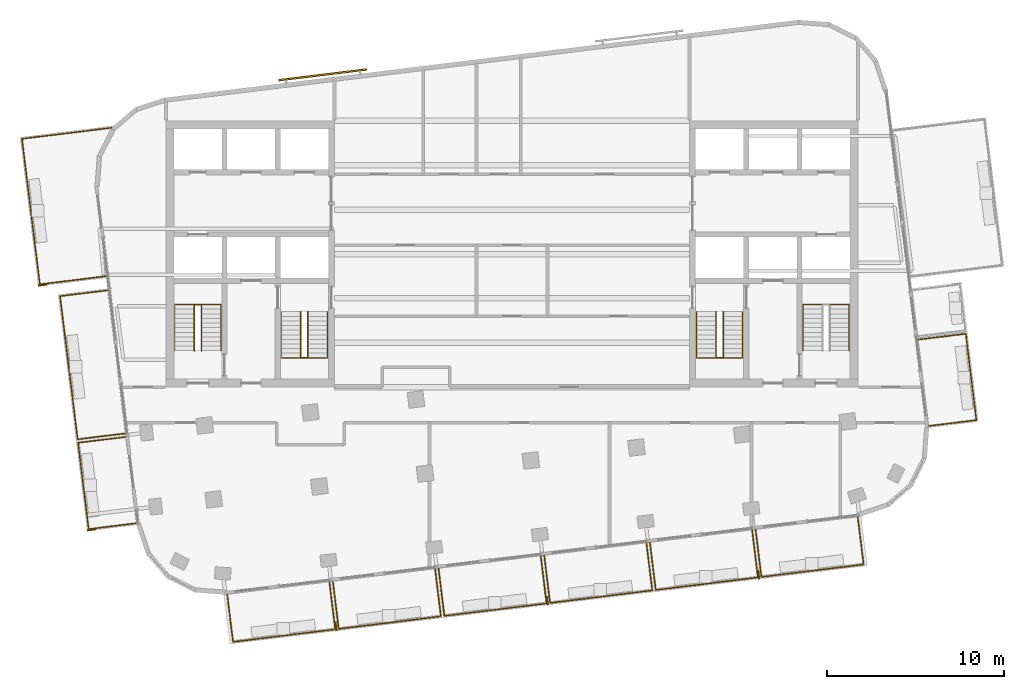
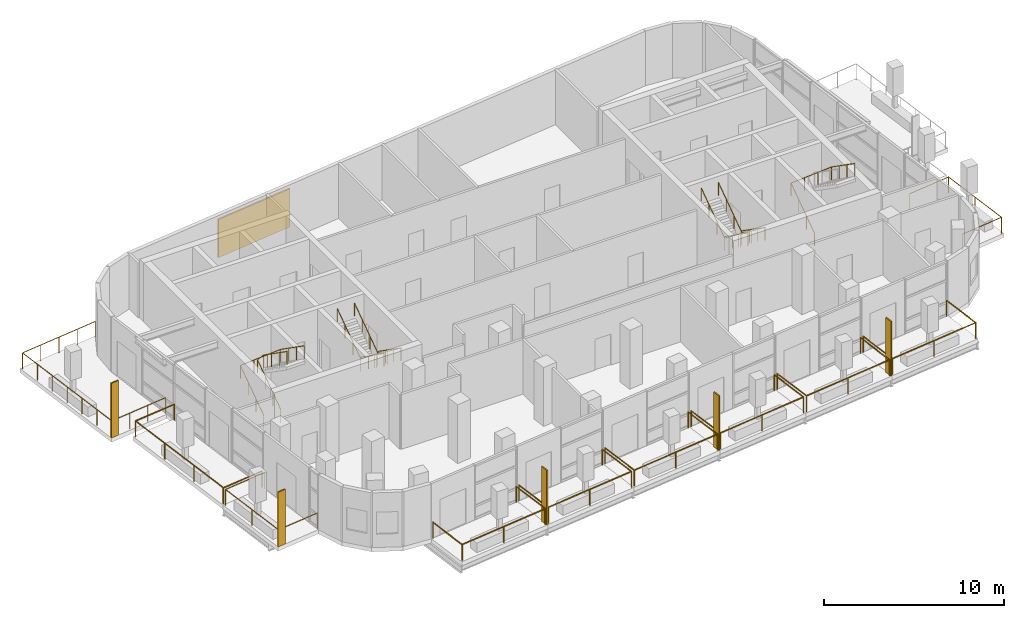
# One storey, part 12 of 14: 17 railings, 6 shading devices.
"""IFC4 building model written with IfcOpenShell, lengths in metres."""

from ifc_helpers import new_model, si_unit, direction, frame, origin, origin_2d, place, context, subcontext, project, spatial, rectangle, circle, extrude, material, layer, layer_set, type_object, element, save


model = new_model("IFC4")

# Units and contexts
model_context = context("Model", 3, precision=1e-05, world=origin(), true_north=direction((0.0, 1.0)))
body_context = subcontext(model_context, "Body", "Model", "MODEL_VIEW")
ifc_project = project(units=[si_unit("LENGTHUNIT", "METRE"), si_unit("AREAUNIT", "SQUARE_METRE"), si_unit("VOLUMEUNIT", "CUBIC_METRE"), si_unit("PLANEANGLEUNIT", "RADIAN"), si_unit("MASSUNIT", "GRAM", prefix="KILO")], contexts=[model_context])

# Site, building, storey
site_placement = place(None, origin())
site = spatial("IfcSite", under=ifc_project, at=site_placement, CompositionType="ELEMENT")
building_placement = place(site_placement, origin())
building = spatial("IfcBuilding", under=site, at=building_placement, Name="Torana Hotel and Residences", CompositionType="ELEMENT")
storey_placement = place(building_placement, frame((0.0, 0.0, 318.60009765625)))
storey = spatial("IfcBuildingStorey", under=building, at=storey_placement, Name="L84", CompositionType="ELEMENT", Elevation=318.60009765625)

# Shading devices
ifc_material_1 = material(Name="Black powder coated aluminium", Category="aluminium")
ifc_layer_1 = layer(ifc_material_1, 0.080078125)
ifc_layer_set_1 = layer_set([ifc_layer_1], Name="FN1 VERTICAL FIN 500x80")
shading_device_type_1 = type_object("IfcShadingDeviceType", Name="FN1 VERTICAL FIN 500x80", PredefinedType="USERDEFINED", material=ifc_layer_set_1)
for number, where, z_axis, x_axis, name in (
    (1, (-9.921142578125, -28.4931640625, 0.0), (0.0, 0.0, 1.0), (-0.99254657704, -0.121865878765, 0.0), "Fin 01"),
    (2, (1.989501953125, -27.03076171875, 0.0), (0.0, 0.0, 1.0), (-0.99254657704, -0.121865878765, 0.0), "Fin 03"),
    (3, (13.89990234375, -25.568359375, 0.0), (0.0, 0.0, 1.0), (-0.99254657704, -0.121865878765, 0.0), "Fin 05"),
    (4, (-23.6982421875, -23.04150390625, 0.0), (0.0, 0.0, 1.0), (-0.121881469635, 0.992544662652, 0.0), "Fin 07"),
    (5, (-26.44970703125, -9.2490234375, 0.0), (0.0, 0.0, 1.0), (-0.121871075725, 0.992545938938, 0.0), "Fin 09"),
):
    element("IfcShadingDevice", number, at=place(storey_placement, frame(where, z_axis=z_axis, x_axis=x_axis)), inside=storey, type_object=shading_device_type_1, Name=name, ObjectType="FIN", PredefinedType="USERDEFINED", context=body_context, shape_type="SweptSolid", body=[
        extrude(rectangle(XDim=0.080078125, YDim=0.5, at=origin_2d()), origin(), (0.0, 0.0, 1.0), 3.719970703125),
    ])

# Railings
ifc_material_2 = material(Name="Laminated glass balustrade with black handrail", Category="glass")
railing_type_1 = type_object("IfcRailingType", Name="GR1 BALCONY GUARD 1100 GLASS", PredefinedType="GUARDRAIL", material=ifc_material_2)
railing_1_placement = place(storey_placement, frame((-10.29150390625, -25.969482421875, 0.0)))
element("IfcRailing", 6, at=railing_1_placement, inside=storey, type_object=railing_type_1, Name="Balcony guard 01", PredefinedType="GUARDRAIL", context=body_context, shape_type="SweptSolid", body=[
    extrude(circle(Radius=0.02392578125, at=origin_2d()), frame((0.0, 0.0, 1.076171875), z_axis=(0.121886613265, -0.992544031017, 0.0), x_axis=(0.992544031017, 0.121886613265, 0.0)), (0.0, 0.0, 1.0), 2.699951171875),
    extrude(circle(Radius=0.02392578125, at=origin_2d()), frame((0.3291015625, -2.679931640625, 1.076171875), z_axis=(-0.992547475119, -0.121858564057, 0.0), x_axis=(0.121858564057, -0.992547475119, 0.0)), (0.0, 0.0, 1.0), 5.800048828125),
    extrude(circle(Radius=0.02392578125, at=origin_2d()), frame((-5.427734375, -3.38671875, 1.076171875), z_axis=(-0.121797534772, 0.992554965996, 0.0), x_axis=(-0.992554965996, -0.121797534772, 0.0)), (0.0, 0.0, 1.0), 2.699951171875),
    extrude(circle(Radius=0.02099609375, at=origin_2d()), origin(), (0.0, 0.0, 1.0), 1.052001953125),
    extrude(circle(Radius=0.02099609375, at=origin_2d()), frame((0.3291015625, -2.679931640625, 0.0)), (0.0, 0.0, 1.0), 1.052001953125),
    extrude(circle(Radius=0.02099609375, at=origin_2d()), frame((-2.54931640625, -3.033203125, 0.0)), (0.0, 0.0, 1.0), 1.052001953125),
    extrude(circle(Radius=0.02099609375, at=origin_2d()), frame((-5.427734375, -3.38671875, 0.0)), (0.0, 0.0, 1.0), 1.052001953125),
    extrude(circle(Radius=0.02099609375, at=origin_2d()), frame((-5.756591796875, -0.706787109375, 0.0)), (0.0, 0.0, 1.0), 1.052001953125),
])
for number, where, name in (
    (7, (-4.336181640625, -25.23828125, 0.0), "Balcony guard 02"),
    (8, (1.619140625, -24.507080078125, 0.0), "Balcony guard 03"),
):
    element("IfcRailing", number, at=place(storey_placement, frame(where)), inside=storey, type_object=railing_type_1, Name=name, PredefinedType="GUARDRAIL", context=body_context, shape_type="SweptSolid", body=[
        extrude(circle(Radius=0.02392578125, at=origin_2d()), frame((0.0, 0.0, 1.076171875), z_axis=(0.121886613265, -0.992544031017, 0.0), x_axis=(0.992544031017, 0.121886613265, 0.0)), (0.0, 0.0, 1.0), 2.699951171875),
        extrude(circle(Radius=0.02392578125, at=origin_2d()), frame((0.3291015625, -2.679931640625, 1.076171875), z_axis=(-0.992547475119, -0.121858564057, 0.0), x_axis=(0.121858564057, -0.992547475119, 0.0)), (0.0, 0.0, 1.0), 5.800048828125),
        extrude(circle(Radius=0.02392578125, at=origin_2d()), frame((-5.427734375, -3.38671875, 1.076171875), z_axis=(-0.121886613265, 0.992544031017, 0.0), x_axis=(-0.992544031017, -0.121886613265, 0.0)), (0.0, 0.0, 1.0), 2.699951171875),
        extrude(circle(Radius=0.02099609375, at=origin_2d()), origin(), (0.0, 0.0, 1.0), 1.052001953125),
        extrude(circle(Radius=0.02099609375, at=origin_2d()), frame((0.3291015625, -2.679931640625, 0.0)), (0.0, 0.0, 1.0), 1.052001953125),
        extrude(circle(Radius=0.02099609375, at=origin_2d()), frame((-2.54931640625, -3.033203125, 0.0)), (0.0, 0.0, 1.0), 1.052001953125),
        extrude(circle(Radius=0.02099609375, at=origin_2d()), frame((-5.427734375, -3.38671875, 0.0)), (0.0, 0.0, 1.0), 1.052001953125),
        extrude(circle(Radius=0.02099609375, at=origin_2d()), frame((-5.7568359375, -0.706787109375, 0.0)), (0.0, 0.0, 1.0), 1.052001953125),
    ])
railing_2_placement = place(storey_placement, frame((7.57421875, -23.77587890625, 0.0)))
element("IfcRailing", 9, at=railing_2_placement, inside=storey, type_object=railing_type_1, Name="Balcony guard 04", PredefinedType="GUARDRAIL", context=body_context, shape_type="SweptSolid", body=[
    extrude(circle(Radius=0.02392578125, at=origin_2d()), frame((0.0, 0.0, 1.076171875), z_axis=(0.121886613265, -0.992544031017, 0.0), x_axis=(0.992544031017, 0.121886613265, 0.0)), (0.0, 0.0, 1.0), 2.699951171875),
    extrude(circle(Radius=0.02392578125, at=origin_2d()), frame((0.3291015625, -2.679931640625, 1.076171875), z_axis=(-0.992546850023, -0.121863655406, 0.0), x_axis=(0.121863655406, -0.992546850023, 0.0)), (0.0, 0.0, 1.0), 5.7998046875),
    extrude(circle(Radius=0.02392578125, at=origin_2d()), frame((-5.427490234375, -3.38671875, 1.076171875), z_axis=(-0.121886613265, 0.992544031017, 0.0), x_axis=(-0.992544031017, -0.121886613265, 0.0)), (0.0, 0.0, 1.0), 2.699951171875),
    extrude(circle(Radius=0.02099609375, at=origin_2d()), origin(), (0.0, 0.0, 1.0), 1.052001953125),
    extrude(circle(Radius=0.02099609375, at=origin_2d()), frame((0.3291015625, -2.679931640625, 0.0)), (0.0, 0.0, 1.0), 1.052001953125),
    extrude(circle(Radius=0.02099609375, at=origin_2d()), frame((-2.54931640625, -3.033203125, 0.0)), (0.0, 0.0, 1.0), 1.052001953125),
    extrude(circle(Radius=0.02099609375, at=origin_2d()), frame((-5.427490234375, -3.38671875, 0.0)), (0.0, 0.0, 1.0), 1.052001953125),
    extrude(circle(Radius=0.02099609375, at=origin_2d()), frame((-5.756591796875, -0.706787109375, 0.0)), (0.0, 0.0, 1.0), 1.052001953125),
])
for number, where, name in (
    (10, (13.529541015625, -23.044677734375, 0.0), "Balcony guard 05"),
    (11, (19.48486328125, -22.3134765625, 0.0), "Balcony guard 06"),
):
    element("IfcRailing", number, at=place(storey_placement, frame(where)), inside=storey, type_object=railing_type_1, Name=name, PredefinedType="GUARDRAIL", context=body_context, shape_type="SweptSolid", body=[
        extrude(circle(Radius=0.02392578125, at=origin_2d()), frame((0.0, 0.0, 1.076171875), z_axis=(0.121886613265, -0.992544031017, 0.0), x_axis=(0.992544031017, 0.121886613265, 0.0)), (0.0, 0.0, 1.0), 2.699951171875),
        extrude(circle(Radius=0.02392578125, at=origin_2d()), frame((0.3291015625, -2.679931640625, 1.076171875), z_axis=(-0.992547475119, -0.121858564057, 0.0), x_axis=(0.121858564057, -0.992547475119, 0.0)), (0.0, 0.0, 1.0), 5.800048828125),
        extrude(circle(Radius=0.02392578125, at=origin_2d()), frame((-5.427734375, -3.38671875, 1.076171875), z_axis=(-0.121797534772, 0.992554965996, 0.0), x_axis=(-0.992554965996, -0.121797534772, 0.0)), (0.0, 0.0, 1.0), 2.699951171875),
        extrude(circle(Radius=0.02099609375, at=origin_2d()), origin(), (0.0, 0.0, 1.0), 1.052001953125),
        extrude(circle(Radius=0.02099609375, at=origin_2d()), frame((0.3291015625, -2.679931640625, 0.0)), (0.0, 0.0, 1.0), 1.052001953125),
        extrude(circle(Radius=0.02099609375, at=origin_2d()), frame((-2.54931640625, -3.033203125, 0.0)), (0.0, 0.0, 1.0), 1.052001953125),
        extrude(circle(Radius=0.02099609375, at=origin_2d()), frame((-5.427734375, -3.38671875, 0.0)), (0.0, 0.0, 1.0), 1.052001953125),
        extrude(circle(Radius=0.02099609375, at=origin_2d()), frame((-5.756591796875, -0.706787109375, 0.0)), (0.0, 0.0, 1.0), 1.052001953125),
    ])
railing_3_placement = place(storey_placement, frame((-21.174560546875, -22.671142578125, 0.0)))
element("IfcRailing", 12, at=railing_3_placement, inside=storey, type_object=railing_type_1, Name="Balcony guard 07", PredefinedType="GUARDRAIL", context=body_context, shape_type="SweptSolid", body=[
    extrude(circle(Radius=0.02392578125, at=origin_2d()), frame((0.0, 0.0, 1.076171875), z_axis=(-0.992544031017, -0.121886613265, 0.0), x_axis=(0.121886613265, -0.992544031017, 0.0)), (0.0, 0.0, 1.0), 2.699951171875),
    extrude(circle(Radius=0.02392578125, at=origin_2d()), frame((-2.679931640625, -0.3291015625, 1.076171875), z_axis=(-0.121869773493, 0.992546098833, 0.0), x_axis=(-0.992546098833, -0.121869773493, 0.0)), (0.0, 0.0, 1.0), 4.900146484375),
    extrude(circle(Radius=0.02392578125, at=origin_2d()), frame((-3.277099609375, 4.534423828125, 1.076171875), z_axis=(0.992554965996, 0.121797534772, 0.0), x_axis=(-0.121797534772, 0.992554965996, 0.0)), (0.0, 0.0, 1.0), 2.699951171875),
    extrude(circle(Radius=0.02099609375, at=origin_2d()), origin(), (0.0, 0.0, 1.0), 1.052001953125),
    extrude(circle(Radius=0.02099609375, at=origin_2d()), frame((-2.679931640625, -0.3291015625, 0.0)), (0.0, 0.0, 1.0), 1.052001953125),
    extrude(circle(Radius=0.02099609375, at=origin_2d()), frame((-2.978515625, 2.1025390625, 0.0)), (0.0, 0.0, 1.0), 1.052001953125),
    extrude(circle(Radius=0.02099609375, at=origin_2d()), frame((-3.277099609375, 4.534423828125, 0.0)), (0.0, 0.0, 1.0), 1.052001953125),
    extrude(circle(Radius=0.02099609375, at=origin_2d()), frame((-0.59716796875, 4.86328125, 0.0)), (0.0, 0.0, 1.0), 1.052001953125),
])
railing_4_placement = place(storey_placement, frame((-21.796142578125, -17.609130859375, 0.0)))
element("IfcRailing", 13, at=railing_4_placement, inside=storey, type_object=railing_type_1, Name="Balcony guard 08", PredefinedType="GUARDRAIL", context=body_context, shape_type="SweptSolid", body=[
    extrude(circle(Radius=0.02392578125, at=origin_2d()), frame((0.0, 0.0, 1.076171875), z_axis=(-0.992544031017, -0.121886613265, 0.0), x_axis=(0.121886613265, -0.992544031017, 0.0)), (0.0, 0.0, 1.0), 2.699951171875),
    extrude(circle(Radius=0.02392578125, at=origin_2d()), frame((-2.679931640625, -0.3291015625, 1.076171875), z_axis=(-0.121845081243, 0.992549130359, 0.0), x_axis=(-0.992549130359, -0.121845081243, 0.0)), (0.0, 0.0, 1.0), 8.125),
    extrude(circle(Radius=0.02392578125, at=origin_2d()), frame((-3.669921875, 7.7353515625, 1.076171875), z_axis=(0.992554965996, 0.121797534772, 0.0), x_axis=(-0.121797534772, 0.992554965996, 0.0)), (0.0, 0.0, 1.0), 2.699951171875),
    extrude(circle(Radius=0.02099609375, at=origin_2d()), origin(), (0.0, 0.0, 1.0), 1.052001953125),
    extrude(circle(Radius=0.02099609375, at=origin_2d()), frame((-2.679931640625, -0.3291015625, 0.0)), (0.0, 0.0, 1.0), 1.052001953125),
    extrude(circle(Radius=0.02099609375, at=origin_2d()), frame((-3.010009765625, 2.359130859375, 0.0)), (0.0, 0.0, 1.0), 1.052001953125),
    extrude(circle(Radius=0.02099609375, at=origin_2d()), frame((-3.33984375, 5.047119140625, 0.0)), (0.0, 0.0, 1.0), 1.052001953125),
    extrude(circle(Radius=0.02099609375, at=origin_2d()), frame((-3.669921875, 7.7353515625, 0.0)), (0.0, 0.0, 1.0), 1.052001953125),
    extrude(circle(Radius=0.02099609375, at=origin_2d()), frame((-0.989990234375, 8.064208984375, 0.0)), (0.0, 0.0, 1.0), 1.052001953125),
])
railing_5_placement = place(storey_placement, frame((-22.8837890625, -8.750732421875, 0.0)))
element("IfcRailing", 14, at=railing_5_placement, inside=storey, type_object=railing_type_1, Name="Balcony guard 09", PredefinedType="GUARDRAIL", context=body_context, shape_type="SweptSolid", body=[
    extrude(circle(Radius=0.02392578125, at=origin_2d()), frame((0.0, 0.0, 1.076171875), z_axis=(-0.992544975267, -0.121878923824, 0.0), x_axis=(0.121878923824, -0.992544975267, 0.0)), (0.0, 0.0, 1.0), 3.75),
    extrude(circle(Radius=0.02392578125, at=origin_2d()), frame((-3.721923828125, -0.45703125, 1.076171875), z_axis=(-0.121878024543, 0.992545085693, 0.0), x_axis=(-0.992545085693, -0.121878024543, 0.0)), (0.0, 0.0, 1.0), 8.262939453125),
    extrude(circle(Radius=0.02392578125, at=origin_2d()), frame((-4.72900390625, 7.744384765625, 1.076171875), z_axis=(0.992542638755, 0.12189795016, 0.0), x_axis=(-0.12189795016, 0.992542638755, 0.0)), (0.0, 0.0, 1.0), 5.0771484375),
    extrude(circle(Radius=0.02099609375, at=origin_2d()), origin(), (0.0, 0.0, 1.0), 1.052001953125),
    extrude(circle(Radius=0.02099609375, at=origin_2d()), frame((-1.24072265625, -0.15234375, 0.0)), (0.0, 0.0, 1.0), 1.052001953125),
    extrude(circle(Radius=0.02099609375, at=origin_2d()), frame((-2.481201171875, -0.3046875, 0.0)), (0.0, 0.0, 1.0), 1.052001953125),
    extrude(circle(Radius=0.02099609375, at=origin_2d()), frame((-3.721923828125, -0.45703125, 0.0)), (0.0, 0.0, 1.0), 1.052001953125),
    extrude(circle(Radius=0.02099609375, at=origin_2d()), frame((-3.8896484375, 0.909912109375, 0.0)), (0.0, 0.0, 1.0), 1.052001953125),
    extrude(circle(Radius=0.02099609375, at=origin_2d()), frame((-4.0576171875, 2.27685546875, 0.0)), (0.0, 0.0, 1.0), 1.052001953125),
    extrude(circle(Radius=0.02099609375, at=origin_2d()), frame((-4.2255859375, 3.6435546875, 0.0)), (0.0, 0.0, 1.0), 1.052001953125),
    extrude(circle(Radius=0.02099609375, at=origin_2d()), frame((-4.393310546875, 5.010498046875, 0.0)), (0.0, 0.0, 1.0), 1.052001953125),
    extrude(circle(Radius=0.02099609375, at=origin_2d()), frame((-4.56103515625, 6.37744140625, 0.0)), (0.0, 0.0, 1.0), 1.052001953125),
    extrude(circle(Radius=0.02099609375, at=origin_2d()), frame((-4.72900390625, 7.744384765625, 0.0)), (0.0, 0.0, 1.0), 1.052001953125),
    extrude(circle(Radius=0.02099609375, at=origin_2d()), frame((-3.46923828125, 7.899169921875, 0.0)), (0.0, 0.0, 1.0), 1.052001953125),
    extrude(circle(Radius=0.02099609375, at=origin_2d()), frame((-2.20947265625, 8.0537109375, 0.0)), (0.0, 0.0, 1.0), 1.052001953125),
    extrude(circle(Radius=0.02099609375, at=origin_2d()), frame((-0.949462890625, 8.20849609375, 0.0)), (0.0, 0.0, 1.0), 1.052001953125),
    extrude(circle(Radius=0.02099609375, at=origin_2d()), frame((0.310302734375, 8.36328125, 0.0)), (0.0, 0.0, 1.0), 1.052001953125),
])
railing_6_placement = place(storey_placement, frame((22.892822265625, -12.32373046875, 0.0)))
element("IfcRailing", 15, at=railing_6_placement, inside=storey, type_object=railing_type_1, Name="Balcony guard 10", PredefinedType="GUARDRAIL", context=body_context, shape_type="SweptSolid", body=[
    extrude(circle(Radius=0.02392578125, at=origin_2d()), frame((0.0, 0.0, 1.076171875), z_axis=(0.992544031017, 0.121886613265, 0.0), x_axis=(-0.121886613265, 0.992544031017, 0.0)), (0.0, 0.0, 1.0), 2.699951171875),
    extrude(circle(Radius=0.02392578125, at=origin_2d()), frame((2.679931640625, 0.3291015625, 1.076171875), z_axis=(0.121869773493, -0.992546098833, 0.0), x_axis=(0.992546098833, 0.121869773493, 0.0)), (0.0, 0.0, 1.0), 4.900146484375),
    extrude(circle(Radius=0.02392578125, at=origin_2d()), frame((3.277099609375, -4.534423828125, 1.076171875), z_axis=(-0.992554965996, -0.121797534772, 0.0), x_axis=(0.121797534772, -0.992554965996, 0.0)), (0.0, 0.0, 1.0), 2.699951171875),
    extrude(circle(Radius=0.02099609375, at=origin_2d()), origin(), (0.0, 0.0, 1.0), 1.052001953125),
    extrude(circle(Radius=0.02099609375, at=origin_2d()), frame((2.679931640625, 0.3291015625, 0.0)), (0.0, 0.0, 1.0), 1.052001953125),
    extrude(circle(Radius=0.02099609375, at=origin_2d()), frame((2.978515625, -2.1025390625, 0.0)), (0.0, 0.0, 1.0), 1.052001953125),
    extrude(circle(Radius=0.02099609375, at=origin_2d()), frame((3.277099609375, -4.534423828125, 0.0)), (0.0, 0.0, 1.0), 1.052001953125),
    extrude(circle(Radius=0.02099609375, at=origin_2d()), frame((0.59716796875, -4.86328125, 0.0)), (0.0, 0.0, 1.0), 1.052001953125),
])

# Shading device
ifc_material_3 = material(Name="Concrete C40/50 precast", Category="concrete")
ifc_layer_2 = layer(ifc_material_3, 0.10009765625)
ifc_layer_set_2 = layer_set([ifc_layer_2], Name="SC1 PERFORATED BLOCK SCREEN PANEL 100")
shading_device_type_2 = type_object("IfcShadingDeviceType", Name="SC1 PERFORATED BLOCK SCREEN PANEL 100", PredefinedType="USERDEFINED", material=ifc_layer_set_2)
shading_device_placement = place(storey_placement, frame((-10.663330078125, 2.59814453125, 0.499755859375), z_axis=(0.0, 0.0, 1.0), x_axis=(-0.99254657704, -0.121865878765, 0.0)))
element("IfcShadingDevice", 16, at=shading_device_placement, inside=storey, type_object=shading_device_type_2, Name="Perforated block screen L84", ObjectType="SCREEN", PredefinedType="USERDEFINED", context=body_context, shape_type="SweptSolid", body=[
    extrude(rectangle(XDim=5.0, YDim=0.10009765625, at=origin_2d()), origin(), (0.0, 0.0, 1.0), 2.60009765625),
])

# Railings
ifc_material_4 = material(Name="Stainless steel 316", Category="steel")
railing_type_2 = type_object("IfcRailingType", Name="STAIR HANDRAIL HR1 900", PredefinedType="HANDRAIL", material=ifc_material_4)
railing_7_placement = place(storey_placement, frame((-10.39990234375, -10.75, 0.181640625)))
element("IfcRailing", 17, at=railing_7_placement, inside=storey, type_object=railing_type_2, Name="Handrail ST1 L84 O1", PredefinedType="HANDRAIL", context=body_context, shape_type="SweptSolid", body=[
    extrude(circle(Radius=0.02392578125, at=origin_2d()), frame((0.0, 0.0, 0.8759765625), z_axis=(0.0, -0.819484887739, 0.573100792852), x_axis=(1.0, 0.0, 0.0)), (0.0, 0.0, 1.0), 3.1728515625),
    extrude(circle(Radius=0.02392578125, at=origin_2d()), frame((0.0, -2.60009765625, 2.6943359375), z_axis=(-0.997568744571, 0.0, 0.06968930948), x_axis=(0.0, -1.0, 0.0)), (0.0, 0.0, 1.0), 2.6064453125),
    extrude(circle(Radius=0.02392578125, at=origin_2d()), frame((-2.60009765625, -2.60009765625, 2.8759765625), z_axis=(0.0, 0.819484887739, 0.573100792852), x_axis=(-1.0, 0.0, 0.0)), (0.0, 0.0, 1.0), 3.1728515625),
    extrude(circle(Radius=0.02099609375, at=origin_2d()), origin(), (0.0, 0.0, 1.0), 0.851806640625),
    extrude(circle(Radius=0.02099609375, at=origin_2d()), frame((0.0, -0.86669921875, 0.606201171875)), (0.0, 0.0, 1.0), 0.851806640625),
    extrude(circle(Radius=0.02099609375, at=origin_2d()), frame((0.0, -1.7333984375, 1.212158203125)), (0.0, 0.0, 1.0), 0.851806640625),
    extrude(circle(Radius=0.02099609375, at=origin_2d()), frame((0.0, -2.60009765625, 1.818359375)), (0.0, 0.0, 1.0), 0.851806640625),
    extrude(circle(Radius=0.02099609375, at=origin_2d()), frame((-0.86669921875, -2.60009765625, 1.87890625)), (0.0, 0.0, 1.0), 0.851806640625),
    extrude(circle(Radius=0.02099609375, at=origin_2d()), frame((-1.7333984375, -2.60009765625, 1.939453125)), (0.0, 0.0, 1.0), 0.851806640625),
    extrude(circle(Radius=0.02099609375, at=origin_2d()), frame((-2.60009765625, -2.60009765625, 2.0)), (0.0, 0.0, 1.0), 0.851806640625),
    extrude(circle(Radius=0.02099609375, at=origin_2d()), frame((-2.60009765625, -1.7333984375, 2.606201171875)), (0.0, 0.0, 1.0), 0.851806640625),
    extrude(circle(Radius=0.02099609375, at=origin_2d()), frame((-2.60009765625, -0.86669921875, 3.212158203125)), (0.0, 0.0, 1.0), 0.851806640625),
    extrude(circle(Radius=0.02099609375, at=origin_2d()), frame((-2.60009765625, 0.0, 3.818359375)), (0.0, 0.0, 1.0), 0.851806640625),
])
railing_8_placement = place(storey_placement, frame((-11.5, -10.75, 0.181640625)))
element("IfcRailing", 18, at=railing_8_placement, inside=storey, type_object=railing_type_2, Name="Handrail ST1 L84 I1", PredefinedType="HANDRAIL", context=body_context, shape_type="SweptSolid", body=[
    extrude(circle(Radius=0.02392578125, at=origin_2d()), frame((0.0, 0.0, 0.8759765625), z_axis=(0.0, -0.819484887739, 0.573100792852), x_axis=(1.0, 0.0, 0.0)), (0.0, 0.0, 1.0), 3.1728515625),
    extrude(circle(Radius=0.02392578125, at=origin_2d()), frame((0.0, -2.60009765625, 2.6943359375), z_axis=(-0.910480658332, 0.0, 0.413551654334), x_axis=(0.0, -1.0, 0.0)), (0.0, 0.0, 1.0), 0.439208984375),
    extrude(circle(Radius=0.02392578125, at=origin_2d()), frame((-0.39990234375, -2.60009765625, 2.8759765625), z_axis=(0.0, 0.819484887739, 0.573100792852), x_axis=(-1.0, 0.0, 0.0)), (0.0, 0.0, 1.0), 3.1728515625),
    extrude(circle(Radius=0.02099609375, at=origin_2d()), origin(), (0.0, 0.0, 1.0), 0.851806640625),
    extrude(circle(Radius=0.02099609375, at=origin_2d()), frame((0.0, -0.86669921875, 0.606201171875)), (0.0, 0.0, 1.0), 0.851806640625),
    extrude(circle(Radius=0.02099609375, at=origin_2d()), frame((0.0, -1.7333984375, 1.212158203125)), (0.0, 0.0, 1.0), 0.851806640625),
    extrude(circle(Radius=0.02099609375, at=origin_2d()), frame((0.0, -2.60009765625, 1.818359375)), (0.0, 0.0, 1.0), 0.851806640625),
    extrude(circle(Radius=0.02099609375, at=origin_2d()), frame((-0.39990234375, -2.60009765625, 2.0)), (0.0, 0.0, 1.0), 0.851806640625),
    extrude(circle(Radius=0.02099609375, at=origin_2d()), frame((-0.39990234375, -1.7333984375, 2.606201171875)), (0.0, 0.0, 1.0), 0.851806640625),
    extrude(circle(Radius=0.02099609375, at=origin_2d()), frame((-0.39990234375, -0.86669921875, 3.212158203125)), (0.0, 0.0, 1.0), 0.851806640625),
    extrude(circle(Radius=0.02099609375, at=origin_2d()), frame((-0.39990234375, 0.0, 3.818359375)), (0.0, 0.0, 1.0), 0.851806640625),
])
railing_9_placement = place(storey_placement, frame((-19.0, -12.949951171875, 0.181640625)))
element("IfcRailing", 19, at=railing_9_placement, inside=storey, type_object=railing_type_2, Name="Handrail ST2 L84 O1", PredefinedType="HANDRAIL", context=body_context, shape_type="SweptSolid", body=[
    extrude(circle(Radius=0.02392578125, at=origin_2d()), frame((0.0, 0.0, 0.8759765625), z_axis=(0.0, 0.819459612548, 0.573136932506), x_axis=(-1.0, 0.0, 0.0)), (0.0, 0.0, 1.0), 3.172607421875),
    extrude(circle(Radius=0.02392578125, at=origin_2d()), frame((0.0, 2.599853515625, 2.6943359375), z_axis=(0.997568744571, 0.0, 0.06968930948), x_axis=(0.0, 1.0, 0.0)), (0.0, 0.0, 1.0), 2.6064453125),
    extrude(circle(Radius=0.02392578125, at=origin_2d()), frame((2.60009765625, 2.599853515625, 2.8759765625), z_axis=(0.0, -0.819459612548, 0.573136932506), x_axis=(1.0, 0.0, 0.0)), (0.0, 0.0, 1.0), 3.172607421875),
    extrude(circle(Radius=0.02099609375, at=origin_2d()), origin(), (0.0, 0.0, 1.0), 0.851806640625),
    extrude(circle(Radius=0.02099609375, at=origin_2d()), frame((0.0, 0.86669921875, 0.606201171875)), (0.0, 0.0, 1.0), 0.851806640625),
    extrude(circle(Radius=0.02099609375, at=origin_2d()), frame((0.0, 1.733154296875, 1.212158203125)), (0.0, 0.0, 1.0), 0.851806640625),
    extrude(circle(Radius=0.02099609375, at=origin_2d()), frame((0.0, 2.599853515625, 1.818359375)), (0.0, 0.0, 1.0), 0.851806640625),
    extrude(circle(Radius=0.02099609375, at=origin_2d()), frame((0.86669921875, 2.599853515625, 1.87890625)), (0.0, 0.0, 1.0), 0.851806640625),
    extrude(circle(Radius=0.02099609375, at=origin_2d()), frame((1.7333984375, 2.599853515625, 1.939453125)), (0.0, 0.0, 1.0), 0.851806640625),
    extrude(circle(Radius=0.02099609375, at=origin_2d()), frame((2.60009765625, 2.599853515625, 2.0)), (0.0, 0.0, 1.0), 0.851806640625),
    extrude(circle(Radius=0.02099609375, at=origin_2d()), frame((2.60009765625, 1.733154296875, 2.606201171875)), (0.0, 0.0, 1.0), 0.851806640625),
    extrude(circle(Radius=0.02099609375, at=origin_2d()), frame((2.60009765625, 0.86669921875, 3.212158203125)), (0.0, 0.0, 1.0), 0.851806640625),
    extrude(circle(Radius=0.02099609375, at=origin_2d()), frame((2.60009765625, 0.0, 3.818359375)), (0.0, 0.0, 1.0), 0.851806640625),
])
railing_10_placement = place(storey_placement, frame((-17.89990234375, -12.949951171875, 0.181640625)))
element("IfcRailing", 20, at=railing_10_placement, inside=storey, type_object=railing_type_2, Name="Handrail ST2 L84 I1", PredefinedType="HANDRAIL", context=body_context, shape_type="SweptSolid", body=[
    extrude(circle(Radius=0.02392578125, at=origin_2d()), frame((0.0, 0.0, 0.8759765625), z_axis=(0.0, 0.819459612548, 0.573136932506), x_axis=(-1.0, 0.0, 0.0)), (0.0, 0.0, 1.0), 3.172607421875),
    extrude(circle(Radius=0.02392578125, at=origin_2d()), frame((0.0, 2.599853515625, 2.6943359375), z_axis=(0.910480658332, 0.0, 0.413551654334), x_axis=(0.0, 1.0, 0.0)), (0.0, 0.0, 1.0), 0.439208984375),
    extrude(circle(Radius=0.02392578125, at=origin_2d()), frame((0.39990234375, 2.599853515625, 2.8759765625), z_axis=(0.0, -0.819459612548, 0.573136932506), x_axis=(1.0, 0.0, 0.0)), (0.0, 0.0, 1.0), 3.172607421875),
    extrude(circle(Radius=0.02099609375, at=origin_2d()), origin(), (0.0, 0.0, 1.0), 0.851806640625),
    extrude(circle(Radius=0.02099609375, at=origin_2d()), frame((0.0, 0.86669921875, 0.606201171875)), (0.0, 0.0, 1.0), 0.851806640625),
    extrude(circle(Radius=0.02099609375, at=origin_2d()), frame((0.0, 1.733154296875, 1.212158203125)), (0.0, 0.0, 1.0), 0.851806640625),
    extrude(circle(Radius=0.02099609375, at=origin_2d()), frame((0.0, 2.599853515625, 1.818359375)), (0.0, 0.0, 1.0), 0.851806640625),
    extrude(circle(Radius=0.02099609375, at=origin_2d()), frame((0.39990234375, 2.599853515625, 2.0)), (0.0, 0.0, 1.0), 0.851806640625),
    extrude(circle(Radius=0.02099609375, at=origin_2d()), frame((0.39990234375, 1.733154296875, 2.606201171875)), (0.0, 0.0, 1.0), 0.851806640625),
    extrude(circle(Radius=0.02099609375, at=origin_2d()), frame((0.39990234375, 0.86669921875, 3.212158203125)), (0.0, 0.0, 1.0), 0.851806640625),
    extrude(circle(Radius=0.02099609375, at=origin_2d()), frame((0.39990234375, 0.0, 3.818359375)), (0.0, 0.0, 1.0), 0.851806640625),
])
railing_11_placement = place(storey_placement, frame((13.0, -10.75, 0.181640625)))
element("IfcRailing", 21, at=railing_11_placement, inside=storey, type_object=railing_type_2, Name="Handrail ST3 L84 O1", PredefinedType="HANDRAIL", context=body_context, shape_type="SweptSolid", body=[
    extrude(circle(Radius=0.02392578125, at=origin_2d()), frame((0.0, 0.0, 0.8759765625), z_axis=(0.0, -0.819484887739, 0.573100792852), x_axis=(1.0, 0.0, 0.0)), (0.0, 0.0, 1.0), 3.1728515625),
    extrude(circle(Radius=0.02392578125, at=origin_2d()), frame((0.0, -2.60009765625, 2.6943359375), z_axis=(-0.997568744571, 0.0, 0.06968930948), x_axis=(0.0, -1.0, 0.0)), (0.0, 0.0, 1.0), 2.6064453125),
    extrude(circle(Radius=0.02392578125, at=origin_2d()), frame((-2.60009765625, -2.60009765625, 2.8759765625), z_axis=(0.0, 0.819484887739, 0.573100792852), x_axis=(-1.0, 0.0, 0.0)), (0.0, 0.0, 1.0), 3.1728515625),
    extrude(circle(Radius=0.02099609375, at=origin_2d()), origin(), (0.0, 0.0, 1.0), 0.851806640625),
    extrude(circle(Radius=0.02099609375, at=origin_2d()), frame((0.0, -0.86669921875, 0.606201171875)), (0.0, 0.0, 1.0), 0.851806640625),
    extrude(circle(Radius=0.02099609375, at=origin_2d()), frame((0.0, -1.7333984375, 1.212158203125)), (0.0, 0.0, 1.0), 0.851806640625),
    extrude(circle(Radius=0.02099609375, at=origin_2d()), frame((0.0, -2.60009765625, 1.818359375)), (0.0, 0.0, 1.0), 0.851806640625),
    extrude(circle(Radius=0.02099609375, at=origin_2d()), frame((-0.86669921875, -2.60009765625, 1.87890625)), (0.0, 0.0, 1.0), 0.851806640625),
    extrude(circle(Radius=0.02099609375, at=origin_2d()), frame((-1.7333984375, -2.60009765625, 1.939453125)), (0.0, 0.0, 1.0), 0.851806640625),
    extrude(circle(Radius=0.02099609375, at=origin_2d()), frame((-2.60009765625, -2.60009765625, 2.0)), (0.0, 0.0, 1.0), 0.851806640625),
    extrude(circle(Radius=0.02099609375, at=origin_2d()), frame((-2.60009765625, -1.7333984375, 2.606201171875)), (0.0, 0.0, 1.0), 0.851806640625),
    extrude(circle(Radius=0.02099609375, at=origin_2d()), frame((-2.60009765625, -0.86669921875, 3.212158203125)), (0.0, 0.0, 1.0), 0.851806640625),
    extrude(circle(Radius=0.02099609375, at=origin_2d()), frame((-2.60009765625, 0.0, 3.818359375)), (0.0, 0.0, 1.0), 0.851806640625),
])
railing_12_placement = place(storey_placement, frame((11.89990234375, -10.75, 0.181640625)))
element("IfcRailing", 22, at=railing_12_placement, inside=storey, type_object=railing_type_2, Name="Handrail ST3 L84 I1", PredefinedType="HANDRAIL", context=body_context, shape_type="SweptSolid", body=[
    extrude(circle(Radius=0.02392578125, at=origin_2d()), frame((0.0, 0.0, 0.8759765625), z_axis=(0.0, -0.819484887739, 0.573100792852), x_axis=(1.0, 0.0, 0.0)), (0.0, 0.0, 1.0), 3.1728515625),
    extrude(circle(Radius=0.02392578125, at=origin_2d()), frame((0.0, -2.60009765625, 2.6943359375), z_axis=(-0.910480658332, 0.0, 0.413551654334), x_axis=(0.0, -1.0, 0.0)), (0.0, 0.0, 1.0), 0.439208984375),
    extrude(circle(Radius=0.02392578125, at=origin_2d()), frame((-0.39990234375, -2.60009765625, 2.8759765625), z_axis=(0.0, 0.819484887739, 0.573100792852), x_axis=(-1.0, 0.0, 0.0)), (0.0, 0.0, 1.0), 3.1728515625),
    extrude(circle(Radius=0.02099609375, at=origin_2d()), origin(), (0.0, 0.0, 1.0), 0.851806640625),
    extrude(circle(Radius=0.02099609375, at=origin_2d()), frame((0.0, -0.86669921875, 0.606201171875)), (0.0, 0.0, 1.0), 0.851806640625),
    extrude(circle(Radius=0.02099609375, at=origin_2d()), frame((0.0, -1.7333984375, 1.212158203125)), (0.0, 0.0, 1.0), 0.851806640625),
    extrude(circle(Radius=0.02099609375, at=origin_2d()), frame((0.0, -2.60009765625, 1.818359375)), (0.0, 0.0, 1.0), 0.851806640625),
    extrude(circle(Radius=0.02099609375, at=origin_2d()), frame((-0.39990234375, -2.60009765625, 2.0)), (0.0, 0.0, 1.0), 0.851806640625),
    extrude(circle(Radius=0.02099609375, at=origin_2d()), frame((-0.39990234375, -1.7333984375, 2.606201171875)), (0.0, 0.0, 1.0), 0.851806640625),
    extrude(circle(Radius=0.02099609375, at=origin_2d()), frame((-0.39990234375, -0.86669921875, 3.212158203125)), (0.0, 0.0, 1.0), 0.851806640625),
    extrude(circle(Radius=0.02099609375, at=origin_2d()), frame((-0.39990234375, 0.0, 3.818359375)), (0.0, 0.0, 1.0), 0.851806640625),
])
railing_13_placement = place(storey_placement, frame((16.39990234375, -12.949951171875, 0.181640625)))
element("IfcRailing", 23, at=railing_13_placement, inside=storey, type_object=railing_type_2, Name="Handrail ST4 L84 O1", PredefinedType="HANDRAIL", context=body_context, shape_type="SweptSolid", body=[
    extrude(circle(Radius=0.02392578125, at=origin_2d()), frame((0.0, 0.0, 0.8759765625), z_axis=(0.0, 0.819459612548, 0.573136932506), x_axis=(-1.0, 0.0, 0.0)), (0.0, 0.0, 1.0), 3.172607421875),
    extrude(circle(Radius=0.02392578125, at=origin_2d()), frame((0.0, 2.599853515625, 2.6943359375), z_axis=(0.997568744571, 0.0, 0.06968930948), x_axis=(0.0, 1.0, 0.0)), (0.0, 0.0, 1.0), 2.6064453125),
    extrude(circle(Radius=0.02392578125, at=origin_2d()), frame((2.60009765625, 2.599853515625, 2.8759765625), z_axis=(0.0, -0.819459612548, 0.573136932506), x_axis=(1.0, 0.0, 0.0)), (0.0, 0.0, 1.0), 3.172607421875),
    extrude(circle(Radius=0.02099609375, at=origin_2d()), origin(), (0.0, 0.0, 1.0), 0.851806640625),
    extrude(circle(Radius=0.02099609375, at=origin_2d()), frame((0.0, 0.86669921875, 0.606201171875)), (0.0, 0.0, 1.0), 0.851806640625),
    extrude(circle(Radius=0.02099609375, at=origin_2d()), frame((0.0, 1.733154296875, 1.212158203125)), (0.0, 0.0, 1.0), 0.851806640625),
    extrude(circle(Radius=0.02099609375, at=origin_2d()), frame((0.0, 2.599853515625, 1.818359375)), (0.0, 0.0, 1.0), 0.851806640625),
    extrude(circle(Radius=0.02099609375, at=origin_2d()), frame((0.86669921875, 2.599853515625, 1.87890625)), (0.0, 0.0, 1.0), 0.851806640625),
    extrude(circle(Radius=0.02099609375, at=origin_2d()), frame((1.7333984375, 2.599853515625, 1.939453125)), (0.0, 0.0, 1.0), 0.851806640625),
    extrude(circle(Radius=0.02099609375, at=origin_2d()), frame((2.60009765625, 2.599853515625, 2.0)), (0.0, 0.0, 1.0), 0.851806640625),
    extrude(circle(Radius=0.02099609375, at=origin_2d()), frame((2.60009765625, 1.733154296875, 2.606201171875)), (0.0, 0.0, 1.0), 0.851806640625),
    extrude(circle(Radius=0.02099609375, at=origin_2d()), frame((2.60009765625, 0.86669921875, 3.212158203125)), (0.0, 0.0, 1.0), 0.851806640625),
    extrude(circle(Radius=0.02099609375, at=origin_2d()), frame((2.60009765625, 0.0, 3.818359375)), (0.0, 0.0, 1.0), 0.851806640625),
])

save(model, "model.ifc")
